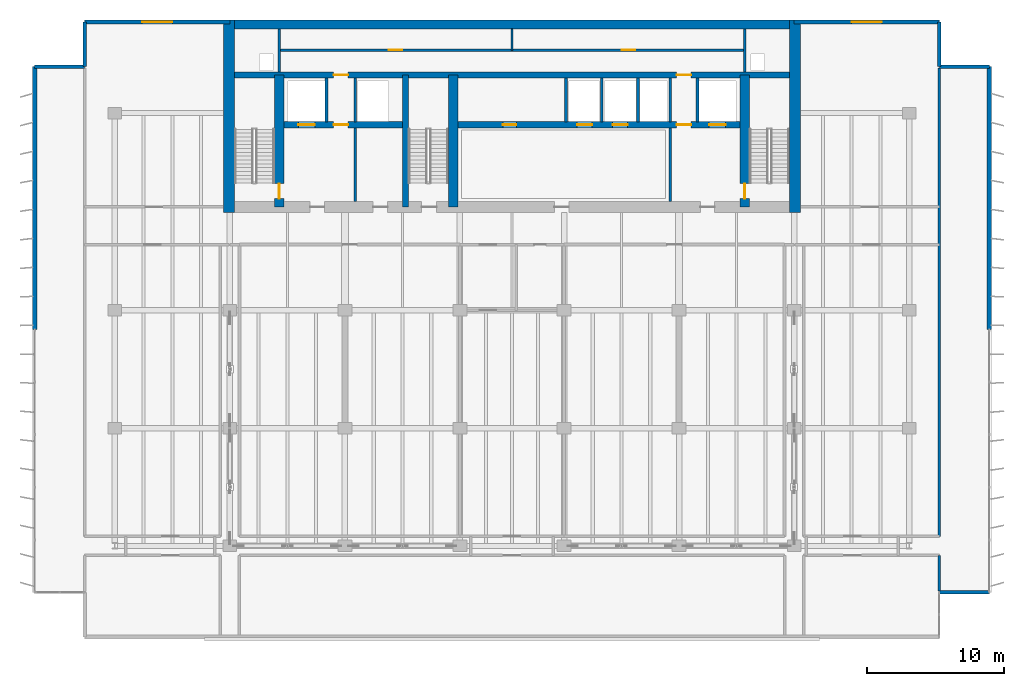
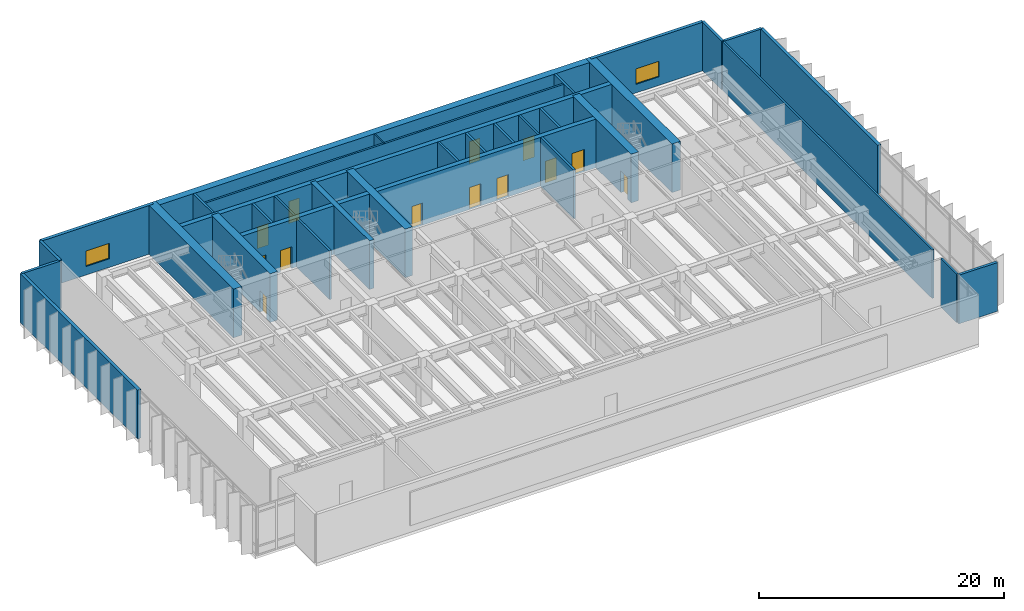
# One storey, part 14 of 18: 33 walls, 13 doors, 2 windows, 15 openings.
"""IFC4 building model written with IfcOpenShell, lengths in metres."""

from ifc_helpers import new_model, si_unit, direction, frame, frame_2d, origin, place, context, subcontext, project, spatial, rectangle, extrude, material, layer, layer_set, type_object, element, fill, save


model = new_model("IFC4")

# Units and contexts
model_context = context("Model", 3, precision=1e-05, world=origin(), true_north=direction((0.0, 1.0)))
body_context = subcontext(model_context, "Body", "Model", "MODEL_VIEW")
ifc_project = project(units=[si_unit("LENGTHUNIT", "METRE"), si_unit("AREAUNIT", "SQUARE_METRE"), si_unit("VOLUMEUNIT", "CUBIC_METRE"), si_unit("PLANEANGLEUNIT", "RADIAN"), si_unit("MASSUNIT", "GRAM", prefix="KILO")], contexts=[model_context])

# Site, building, storey
site_placement = place(None, origin())
site = spatial("IfcSite", under=ifc_project, at=site_placement, CompositionType="ELEMENT")
building_placement = place(site_placement, origin())
building = spatial("IfcBuilding", under=site, at=building_placement, Name="Caelmar Bay Residences", CompositionType="ELEMENT")
storey_placement = place(building_placement, frame((0.0, 0.0, 152.10009765625)))
storey = spatial("IfcBuildingStorey", under=building, at=storey_placement, Name="L42", CompositionType="ELEMENT", Elevation=152.10009765625)

# Wall, opening, door
ifc_material_1 = material(Name="Concrete f'c 55 MPa (8,000 psi)", Category="concrete")
ifc_layer_1 = layer(ifc_material_1, 0.699951171875)
ifc_layer_set_1 = layer_set([ifc_layer_1], Name="Concrete f'c 55 MPa (8,000 psi)")
wall_type_1 = type_object("IfcWallType", Name="SW-COR-700", PredefinedType="SHEAR", material=ifc_layer_set_1)
wall_1_placement = place(storey_placement, frame((21.89990234375, 36.949951171875, 0.0), z_axis=(0.0, 0.0, 1.0), x_axis=(0.0, 1.0, 0.0)))
wall_1 = element("IfcWall", 1, at=wall_1_placement, inside=storey, type_object=wall_type_1, Name="L42 Core Structural Web Wall ST1E", PredefinedType="SHEAR", context=body_context, shape_type="SweptSolid", body=[
    extrude(rectangle(XDim=9.625, YDim=0.699951171875, at=frame_2d((4.8125, 0.0))), origin(), (0.0, 0.0, 1.0), 4.849853515625),
])
opening_1_placement = place(wall_1_placement, frame((0.60009765625, 0.0, 0.0)))
opening_1 = element("IfcOpeningElement", 2, at=opening_1_placement, cuts=wall_1, Name="Opening D-L42-107", PredefinedType="OPENING", context=body_context, shape_type="SweptSolid", body=[
    extrude(rectangle(XDim=1.10009765625, YDim=2.14990234375, at=frame_2d((0.550048828125, 1.074951171875))), frame((0.0, 0.35986328125, 0.0), z_axis=(0.0, -1.0, 0.0), x_axis=(1.0, 0.0, 0.0)), (0.0, 0.0, 1.0), 0.719970703125),
])
ifc_material_2 = material(Name="Fire-rated steel and walnut architectural door assembly", Category="steel")
ifc_layer_2 = layer(ifc_material_2, 0.050048828125)
ifc_layer_set_2 = layer_set([ifc_layer_2], Name="Fire-rated steel and walnut architectural door assembly")
door_type_1 = type_object("IfcDoorType", Name="D-STAIR-1100", OperationType="NOTDEFINED", PredefinedType="DOOR", material=ifc_layer_set_2)
door_1_placement = place(opening_1_placement, origin())
door_1 = element("IfcDoor", 3, at=door_1_placement, inside=storey, type_object=door_type_1, Name="L42 Firefighting Lobby West Door", OperationType="SINGLE_SWING_LEFT", OverallHeight=2.14990234375, OverallWidth=1.10009765625, PredefinedType="DOOR", context=body_context, shape_type="SweptSolid", body=[
    extrude(rectangle(XDim=1.10009765625, YDim=2.14990234375, at=frame_2d((0.550048828125, 1.074951171875))), frame((0.0, 0.02490234375, 0.0), z_axis=(0.0, -1.0, 0.0), x_axis=(1.0, 0.0, 0.0)), (0.0, 0.0, 1.0), 0.050048828125),
])
fill(opening_1, door_1)

wall_2_placement = place(storey_placement, frame((55.89990234375, 36.949951171875, 0.0), z_axis=(0.0, 0.0, 1.0), x_axis=(0.0, 1.0, 0.0)))
wall_2 = element("IfcWall", 4, at=wall_2_placement, inside=storey, type_object=wall_type_1, Name="L42 Core Structural Web Wall ST2W", PredefinedType="SHEAR", context=body_context, shape_type="SweptSolid", body=[
    extrude(rectangle(XDim=9.625, YDim=0.699951171875, at=frame_2d((4.8125, 0.0))), origin(), (0.0, 0.0, 1.0), 4.849853515625),
])
opening_2_placement = place(wall_2_placement, frame((0.60009765625, 0.0, 0.0)))
opening_2 = element("IfcOpeningElement", 5, at=opening_2_placement, cuts=wall_2, Name="Opening D-L42-110", PredefinedType="OPENING", context=body_context, shape_type="SweptSolid", body=[
    extrude(rectangle(XDim=1.10009765625, YDim=2.14990234375, at=frame_2d((0.550048828125, 1.074951171875))), frame((0.0, 0.35986328125, 0.0), z_axis=(0.0, -1.0, 0.0), x_axis=(1.0, 0.0, 0.0)), (0.0, 0.0, 1.0), 0.719970703125),
])
door_2_placement = place(opening_2_placement, origin())
door_2 = element("IfcDoor", 6, at=door_2_placement, inside=storey, type_object=door_type_1, Name="L42 Firefighting Lobby East Door", OperationType="SINGLE_SWING_RIGHT", OverallHeight=2.14990234375, OverallWidth=1.10009765625, PredefinedType="DOOR", context=body_context, shape_type="SweptSolid", body=[
    extrude(rectangle(XDim=1.10009765625, YDim=2.14990234375, at=frame_2d((0.550048828125, 1.074951171875))), frame((0.0, 0.02490234375, 0.0), z_axis=(0.0, -1.0, 0.0), x_axis=(1.0, 0.0, 0.0)), (0.0, 0.0, 1.0), 0.050048828125),
])
fill(opening_2, door_2)

# Walls
wall_3_placement = place(storey_placement, frame((34.60009765625, 36.949951171875, 0.0), z_axis=(0.0, 0.0, 1.0), x_axis=(0.0, 1.0, 0.0)))
element("IfcWall", 7, at=wall_3_placement, inside=storey, type_object=wall_type_1, Name="L42 Core Structural Web Wall ST3E", PredefinedType="SHEAR", context=body_context, shape_type="SweptSolid", body=[
    extrude(rectangle(XDim=9.625, YDim=0.699951171875, at=frame_2d((4.8125, 0.0))), origin(), (0.0, 0.0, 1.0), 4.849853515625),
])
ifc_material_3 = material(Name="Concrete f'c 70 MPa (10,000 psi)", Category="concrete")
ifc_layer_3 = layer(ifc_material_3, 0.800048828125)
ifc_layer_set_3 = layer_set([ifc_layer_3], Name="Concrete f'c 70 MPa (10,000 psi)")
wall_type_2 = type_object("IfcWallType", Name="SW-COR-800", PredefinedType="SHEAR", material=ifc_layer_set_3)
for number, where, z_axis, x_axis, name in (
    (8, (18.25, 36.550048828125, 0.0), (0.0, 0.0, 1.0), (0.0, 1.0, 0.0), "L42 Rear Core West Shear Wall"),
    (9, (59.550048828125, 36.550048828125, 0.0), (0.0, 0.0, 1.0), (0.0, 1.0, 0.0), "L42 Rear Core East Shear Wall"),
):
    element("IfcWall", number, at=place(storey_placement, frame(where, z_axis=z_axis, x_axis=x_axis)), inside=storey, type_object=wall_type_2, Name=name, PredefinedType="SHEAR", context=body_context, shape_type="SweptSolid", body=[
        extrude(rectangle(XDim=14.050048828125, YDim=0.800048828125, at=frame_2d((7.02490234375, 0.0))), origin(), (0.0, 0.0, 1.0), 4.849853515625),
    ])
ifc_layer_4 = layer(ifc_material_1, 0.64990234375)
ifc_layer_set_4 = layer_set([ifc_layer_4], Name="Concrete f'c 55 MPa (8,000 psi)")
wall_type_3 = type_object("IfcWallType", Name="SW-CORN-650", PredefinedType="SHEAR", material=ifc_layer_set_4)
wall_4_placement = place(storey_placement, frame((17.85009765625, 50.27490234375, 0.0), z_axis=(0.0, 0.0, 1.0), x_axis=(1.0, 0.0, 0.0)))
element("IfcWall", 10, at=wall_4_placement, inside=storey, type_object=wall_type_3, Name="L42 Rear Core North Shear Wall", PredefinedType="SHEAR", context=body_context, shape_type="SweptSolid", body=[
    extrude(rectangle(XDim=42.099853515625, YDim=0.64990234375, at=frame_2d((21.0498046875, 0.0))), origin(), (0.0, 0.0, 1.0), 4.849853515625),
])
ifc_layer_5 = layer(ifc_material_3, 0.449951171875)
ifc_layer_set_5 = layer_set([ifc_layer_5], Name="Concrete f'c 70 MPa (10,000 psi)")
wall_type_4 = type_object("IfcWallType", Name="SW-WEB-450", PredefinedType="SHEAR", material=ifc_layer_set_5)
wall_5_placement = place(storey_placement, frame((31.125, 36.949951171875, 0.0), z_axis=(0.0, 0.0, 1.0), x_axis=(0.0, 1.0, 0.0)))
element("IfcWall", 11, at=wall_5_placement, inside=storey, type_object=wall_type_4, Name="L42 Core Structural Web Wall ST3W", PredefinedType="SHEAR", context=body_context, shape_type="SweptSolid", body=[
    extrude(rectangle(XDim=9.625, YDim=0.449951171875, at=frame_2d((4.8125, 0.0))), origin(), (0.0, 0.0, 1.0), 4.849853515625),
])

# Wall, openings, doors
wall_6_placement = place(storey_placement, frame((22.25, 42.949951171875, 0.0), z_axis=(0.0, 0.0, 1.0), x_axis=(1.0, 0.0, 0.0)))
wall_6 = element("IfcWall", 12, at=wall_6_placement, inside=storey, type_object=wall_type_4, Name="L42 Core Structural Web Wall LFR", PredefinedType="SHEAR", context=body_context, shape_type="SweptSolid", body=[
    extrude(rectangle(XDim=33.300048828125, YDim=0.449951171875, at=frame_2d((16.64990234375, 0.0))), origin(), (0.0, 0.0, 1.0), 4.849853515625),
])
opening_3_placement = place(wall_6_placement, frame((1.050048828125, 0.0, 0.0)))
opening_3 = element("IfcOpeningElement", 13, at=opening_3_placement, cuts=wall_6, Name="Opening LD2", PredefinedType="OPENING", context=body_context, shape_type="SweptSolid", body=[
    extrude(rectangle(XDim=1.199951171875, YDim=2.199951171875, at=frame_2d((0.60009765625, 1.10009765625))), frame((0.0, 0.23486328125, 0.0), z_axis=(0.0, -1.0, 0.0), x_axis=(1.0, 0.0, 0.0)), (0.0, 0.0, 1.0), 0.469970703125),
])
opening_4_placement = place(wall_6_placement, frame((31.050048828125, 0.0, 0.0)))
opening_4 = element("IfcOpeningElement", 14, at=opening_4_placement, cuts=wall_6, Name="Opening LD2", PredefinedType="OPENING", context=body_context, shape_type="SweptSolid", body=[
    extrude(rectangle(XDim=1.199951171875, YDim=2.199951171875, at=frame_2d((0.60009765625, 1.10009765625))), frame((0.0, 0.23486328125, 0.0), z_axis=(0.0, -1.0, 0.0), x_axis=(1.0, 0.0, 0.0)), (0.0, 0.0, 1.0), 0.469970703125),
])
opening_5_placement = place(wall_6_placement, frame((21.39990234375, 0.0, 0.0)))
opening_5 = element("IfcOpeningElement", 15, at=opening_5_placement, cuts=wall_6, Name="Opening LD1", PredefinedType="OPENING", context=body_context, shape_type="SweptSolid", body=[
    extrude(rectangle(XDim=1.10009765625, YDim=2.199951171875, at=frame_2d((0.550048828125, 1.10009765625))), frame((0.0, 0.23486328125, 0.0), z_axis=(0.0, -1.0, 0.0), x_axis=(1.0, 0.0, 0.0)), (0.0, 0.0, 1.0), 0.469970703125),
])
opening_6_placement = place(wall_6_placement, frame((24.0, 0.0, 0.0)))
opening_6 = element("IfcOpeningElement", 16, at=opening_6_placement, cuts=wall_6, Name="Opening LD1", PredefinedType="OPENING", context=body_context, shape_type="SweptSolid", body=[
    extrude(rectangle(XDim=1.10009765625, YDim=2.199951171875, at=frame_2d((0.550048828125, 1.10009765625))), frame((0.0, 0.23486328125, 0.0), z_axis=(0.0, -1.0, 0.0), x_axis=(1.0, 0.0, 0.0)), (0.0, 0.0, 1.0), 0.469970703125),
])
opening_7_placement = place(wall_6_placement, frame((3.625, 0.0, 0.0)))
opening_7 = element("IfcOpeningElement", 17, at=opening_7_placement, cuts=wall_6, Name="Opening D-L42-108", PredefinedType="OPENING", context=body_context, shape_type="SweptSolid", body=[
    extrude(rectangle(XDim=1.050048828125, YDim=2.14990234375, at=frame_2d((0.52490234375, 1.074951171875))), frame((0.0, 0.23486328125, 0.0), z_axis=(0.0, -1.0, 0.0), x_axis=(1.0, 0.0, 0.0)), (0.0, 0.0, 1.0), 0.469970703125),
])
opening_8_placement = place(wall_6_placement, frame((28.675048828125, 0.0, 0.0)))
opening_8 = element("IfcOpeningElement", 18, at=opening_8_placement, cuts=wall_6, Name="Opening D-L42-111", PredefinedType="OPENING", context=body_context, shape_type="SweptSolid", body=[
    extrude(rectangle(XDim=1.050048828125, YDim=2.14990234375, at=frame_2d((0.52490234375, 1.074951171875))), frame((0.0, 0.23486328125, 0.0), z_axis=(0.0, -1.0, 0.0), x_axis=(1.0, 0.0, 0.0)), (0.0, 0.0, 1.0), 0.469970703125),
])
opening_9_placement = place(wall_6_placement, frame((15.97509765625, 0.0, 0.0)))
opening_9 = element("IfcOpeningElement", 19, at=opening_9_placement, cuts=wall_6, Name="Opening D-L42-114", PredefinedType="OPENING", context=body_context, shape_type="SweptSolid", body=[
    extrude(rectangle(XDim=1.0, YDim=2.199951171875, at=frame_2d((0.5, 1.10009765625))), frame((0.0, 0.23486328125, 0.0), z_axis=(0.0, -1.0, 0.0), x_axis=(1.0, 0.0, 0.0)), (0.0, 0.0, 1.0), 0.469970703125),
])
ifc_layer_6 = layer(ifc_material_2, 0.050048828125)
ifc_layer_set_6 = layer_set([ifc_layer_6], Name="Fire-rated steel and walnut architectural door assembly")
door_type_2 = type_object("IfcDoorType", Name="D-FSAE-1050", OperationType="NOTDEFINED", PredefinedType="DOOR", material=ifc_layer_set_6)
door_3_placement = place(opening_7_placement, origin())
door_3 = element("IfcDoor", 20, at=door_3_placement, inside=storey, type_object=door_type_2, Name="L42 Firefighting Lobby West Door", OperationType="SINGLE_SWING_RIGHT", OverallHeight=2.14990234375, OverallWidth=1.050048828125, PredefinedType="DOOR", context=body_context, shape_type="SweptSolid", body=[
    extrude(rectangle(XDim=1.050048828125, YDim=2.14990234375, at=frame_2d((0.52490234375, 1.074951171875))), frame((0.0, 0.02490234375, 0.0), z_axis=(0.0, -1.0, 0.0), x_axis=(1.0, 0.0, 0.0)), (0.0, 0.0, 1.0), 0.050048828125),
])
fill(opening_7, door_3)
door_4_placement = place(opening_8_placement, origin())
door_4 = element("IfcDoor", 21, at=door_4_placement, inside=storey, type_object=door_type_2, Name="L42 Firefighting Lobby East Door", OperationType="SINGLE_SWING_LEFT", OverallHeight=2.14990234375, OverallWidth=1.050048828125, PredefinedType="DOOR", context=body_context, shape_type="SweptSolid", body=[
    extrude(rectangle(XDim=1.050048828125, YDim=2.14990234375, at=frame_2d((0.52490234375, 1.074951171875))), frame((0.0, 0.02490234375, 0.0), z_axis=(0.0, -1.0, 0.0), x_axis=(1.0, 0.0, 0.0)), (0.0, 0.0, 1.0), 0.050048828125),
])
fill(opening_8, door_4)
ifc_material_4 = material(Name="Brushed bronze stainless-steel fire-rated lift landing doors", Category="steel")
ifc_layer_7 = layer(ifc_material_4, 0.050048828125)
ifc_layer_set_7 = layer_set([ifc_layer_7], Name="Brushed bronze stainless-steel fire-rated lift landing doors")
door_type_3 = type_object("IfcDoorType", Name="D-LND-1100", OperationType="DOUBLE_DOOR_SLIDING", PredefinedType="DOOR", material=ifc_layer_set_7)
door_5_placement = place(opening_5_placement, origin())
door_5 = element("IfcDoor", 22, at=door_5_placement, inside=storey, type_object=door_type_3, Name="L42 LP4 Sliding Landing Door", OperationType="DOUBLE_DOOR_SLIDING", OverallHeight=2.199951171875, OverallWidth=1.10009765625, PredefinedType="DOOR", context=body_context, shape_type="SweptSolid", body=[
    extrude(rectangle(XDim=1.10009765625, YDim=2.199951171875, at=frame_2d((0.550048828125, 1.10009765625))), frame((0.0, 0.02490234375, 0.0), z_axis=(0.0, -1.0, 0.0), x_axis=(1.0, 0.0, 0.0)), (0.0, 0.0, 1.0), 0.050048828125),
])
fill(opening_5, door_5)
door_6_placement = place(opening_6_placement, origin())
door_6 = element("IfcDoor", 23, at=door_6_placement, inside=storey, type_object=door_type_3, Name="L42 LP5 Sliding Landing Door", OperationType="DOUBLE_DOOR_SLIDING", OverallHeight=2.199951171875, OverallWidth=1.10009765625, PredefinedType="DOOR", context=body_context, shape_type="SweptSolid", body=[
    extrude(rectangle(XDim=1.10009765625, YDim=2.199951171875, at=frame_2d((0.550048828125, 1.10009765625))), frame((0.0, 0.02490234375, 0.0), z_axis=(0.0, -1.0, 0.0), x_axis=(1.0, 0.0, 0.0)), (0.0, 0.0, 1.0), 0.050048828125),
])
fill(opening_6, door_6)
ifc_material_5 = material(Name="Brushed stainless-steel FSAE sliding landing door", Category="steel")
ifc_layer_8 = layer(ifc_material_5, 0.050048828125)
ifc_layer_set_8 = layer_set([ifc_layer_8], Name="Brushed stainless-steel FSAE sliding landing door")
door_type_4 = type_object("IfcDoorType", Name="D-LND-1200", OperationType="DOUBLE_DOOR_SLIDING", PredefinedType="DOOR", material=ifc_layer_set_8)
door_7_placement = place(opening_3_placement, origin())
door_7 = element("IfcDoor", 24, at=door_7_placement, inside=storey, type_object=door_type_4, Name="L42 LF1 Sliding Landing Door", OperationType="DOUBLE_DOOR_SLIDING", OverallHeight=2.199951171875, OverallWidth=1.199951171875, PredefinedType="DOOR", context=body_context, shape_type="SweptSolid", body=[
    extrude(rectangle(XDim=1.199951171875, YDim=2.199951171875, at=frame_2d((0.60009765625, 1.10009765625))), frame((0.0, 0.02490234375, 0.0), z_axis=(0.0, -1.0, 0.0), x_axis=(1.0, 0.0, 0.0)), (0.0, 0.0, 1.0), 0.050048828125),
])
fill(opening_3, door_7)
door_8_placement = place(opening_4_placement, origin())
door_8 = element("IfcDoor", 25, at=door_8_placement, inside=storey, type_object=door_type_4, Name="L42 LF2 Sliding Landing Door", OperationType="DOUBLE_DOOR_SLIDING", OverallHeight=2.199951171875, OverallWidth=1.199951171875, PredefinedType="DOOR", context=body_context, shape_type="SweptSolid", body=[
    extrude(rectangle(XDim=1.199951171875, YDim=2.199951171875, at=frame_2d((0.60009765625, 1.10009765625))), frame((0.0, 0.02490234375, 0.0), z_axis=(0.0, -1.0, 0.0), x_axis=(1.0, 0.0, 0.0)), (0.0, 0.0, 1.0), 0.050048828125),
])
fill(opening_4, door_8)
ifc_layer_9 = layer(ifc_material_2, 0.050048828125)
ifc_layer_set_9 = layer_set([ifc_layer_9], Name="Fire-rated steel and walnut architectural door assembly")
door_type_5 = type_object("IfcDoorType", Name="D-UNIT-1000", OperationType="NOTDEFINED", PredefinedType="DOOR", material=ifc_layer_set_9)
door_9_placement = place(opening_9_placement, origin())
door_9 = element("IfcDoor", 26, at=door_9_placement, inside=storey, type_object=door_type_5, Name="L42 Quiet Reading Study Door", OperationType="SINGLE_SWING_RIGHT", OverallHeight=2.199951171875, OverallWidth=1.0, PredefinedType="DOOR", context=body_context, shape_type="SweptSolid", body=[
    extrude(rectangle(XDim=1.0, YDim=2.199951171875, at=frame_2d((0.5, 1.10009765625))), frame((0.0, 0.02490234375, 0.0), z_axis=(0.0, -1.0, 0.0), x_axis=(1.0, 0.0, 0.0)), (0.0, 0.0, 1.0), 0.050048828125),
])
fill(opening_9, door_9)

wall_7_placement = place(storey_placement, frame((18.25, 46.574951171875, 0.0), z_axis=(0.0, 0.0, 1.0), x_axis=(1.0, 0.0, 0.0)))
wall_7 = element("IfcWall", 27, at=wall_7_placement, inside=storey, type_object=wall_type_4, Name="L42 Core Structural Web Wall SRVS", PredefinedType="SHEAR", context=body_context, shape_type="SweptSolid", body=[
    extrude(rectangle(XDim=41.300048828125, YDim=0.449951171875, at=frame_2d((20.64990234375, 0.0))), origin(), (0.0, 0.0, 1.0), 4.849853515625),
])
opening_10_placement = place(wall_7_placement, frame((7.625, 0.0, 0.0)))
opening_10 = element("IfcOpeningElement", 28, at=opening_10_placement, cuts=wall_7, Name="Opening D-L42-115", PredefinedType="OPENING", context=body_context, shape_type="SweptSolid", body=[
    extrude(rectangle(XDim=1.050048828125, YDim=2.14990234375, at=frame_2d((0.52490234375, 1.074951171875))), frame((0.0, 0.23486328125, 0.0), z_axis=(0.0, -1.0, 0.0), x_axis=(1.0, 0.0, 0.0)), (0.0, 0.0, 1.0), 0.469970703125),
])
opening_11_placement = place(wall_7_placement, frame((32.675048828125, 0.0, 0.0)))
opening_11 = element("IfcOpeningElement", 29, at=opening_11_placement, cuts=wall_7, Name="Opening D-L42-116", PredefinedType="OPENING", context=body_context, shape_type="SweptSolid", body=[
    extrude(rectangle(XDim=1.050048828125, YDim=2.14990234375, at=frame_2d((0.52490234375, 1.074951171875))), frame((0.0, 0.23486328125, 0.0), z_axis=(0.0, -1.0, 0.0), x_axis=(1.0, 0.0, 0.0)), (0.0, 0.0, 1.0), 0.469970703125),
])
door_10_placement = place(opening_10_placement, origin())
door_10 = element("IfcDoor", 30, at=door_10_placement, inside=storey, type_object=door_type_2, Name="L42 Core Service Corridor Door", OperationType="SINGLE_SWING_LEFT", OverallHeight=2.14990234375, OverallWidth=1.050048828125, PredefinedType="DOOR", context=body_context, shape_type="SweptSolid", body=[
    extrude(rectangle(XDim=1.050048828125, YDim=2.14990234375, at=frame_2d((0.52490234375, 1.074951171875))), frame((0.0, 0.02490234375, 0.0), z_axis=(0.0, -1.0, 0.0), x_axis=(1.0, 0.0, 0.0)), (0.0, 0.0, 1.0), 0.050048828125),
])
fill(opening_10, door_10)
door_11_placement = place(opening_11_placement, origin())
door_11 = element("IfcDoor", 31, at=door_11_placement, inside=storey, type_object=door_type_2, Name="L42 Core Service Corridor Door", OperationType="SINGLE_SWING_RIGHT", OverallHeight=2.14990234375, OverallWidth=1.050048828125, PredefinedType="DOOR", context=body_context, shape_type="SweptSolid", body=[
    extrude(rectangle(XDim=1.050048828125, YDim=2.14990234375, at=frame_2d((0.52490234375, 1.074951171875))), frame((0.0, 0.02490234375, 0.0), z_axis=(0.0, -1.0, 0.0), x_axis=(1.0, 0.0, 0.0)), (0.0, 0.0, 1.0), 0.050048828125),
])
fill(opening_11, door_11)

# Walls
ifc_material_6 = material(Name="Double-stud acoustic fire-rated gypsum partition 180 mm")
ifc_layer_10 = layer(ifc_material_6, 0.179931640625)
ifc_layer_set_10 = layer_set([ifc_layer_10], Name="Double-stud acoustic fire-rated gypsum partition 180 mm")
wall_type_5 = type_object("IfcWallType", Name="W-COR-200", PredefinedType="PARTITIONING", material=ifc_layer_set_10)
wall_8_placement = place(storey_placement, frame((70.10009765625, 8.919921875, 0.0), z_axis=(0.0, 0.0, 1.0), x_axis=(0.0, 1.0, 0.0)))
element("IfcWall", 32, at=wall_8_placement, inside=storey, type_object=wall_type_5, Name="L42 Partition Wall V032", PredefinedType="PARTITIONING", context=body_context, shape_type="SweptSolid", body=[
    extrude(rectangle(XDim=2.580078125, YDim=0.179931640625, at=frame_2d((1.2900390625, 0.0))), origin(), (0.0, 0.0, 1.0), 4.849853515625),
])
wall_9_placement = place(storey_placement, frame((70.10009765625, 12.89990234375, 0.0), z_axis=(0.0, 0.0, 1.0), x_axis=(0.0, 1.0, 0.0)))
element("IfcWall", 33, at=wall_9_placement, inside=storey, type_object=wall_type_5, Name="L42 Partition Wall V033", PredefinedType="PARTITIONING", context=body_context, shape_type="SweptSolid", body=[
    extrude(rectangle(XDim=34.18017578125, YDim=0.179931640625, at=frame_2d((17.090087890625, 0.0))), origin(), (0.0, 0.0, 1.0), 4.849853515625),
])

# Wall, openings, doors
wall_10_placement = place(storey_placement, frame((21.89990234375, 48.39990234375, 0.0), z_axis=(0.0, 0.0, 1.0), x_axis=(1.0, 0.0, 0.0)))
wall_10 = element("IfcWall", 34, at=wall_10_placement, inside=storey, type_object=wall_type_5, Name="L42 Partition Wall H052", PredefinedType="PARTITIONING", context=body_context, shape_type="SweptSolid", body=[
    extrude(rectangle(XDim=34.0, YDim=0.179931640625, at=frame_2d((17.0, 0.0))), origin(), (0.0, 0.0, 1.0), 4.849853515625),
])
opening_12_placement = place(wall_10_placement, frame((8.0, 0.0, 0.0)))
opening_12 = element("IfcOpeningElement", 35, at=opening_12_placement, cuts=wall_10, Name="Opening D-L42-117", PredefinedType="OPENING", context=body_context, shape_type="SweptSolid", body=[
    extrude(rectangle(XDim=1.0, YDim=2.199951171875, at=frame_2d((0.5, 1.10009765625))), frame((0.0, 0.099853515625, 0.0), z_axis=(0.0, -1.0, 0.0), x_axis=(1.0, 0.0, 0.0)), (0.0, 0.0, 1.0), 0.199951171875),
])
opening_13_placement = place(wall_10_placement, frame((25.0, 0.0, 0.0)))
opening_13 = element("IfcOpeningElement", 36, at=opening_13_placement, cuts=wall_10, Name="Opening D-L42-118", PredefinedType="OPENING", context=body_context, shape_type="SweptSolid", body=[
    extrude(rectangle(XDim=1.0, YDim=2.199951171875, at=frame_2d((0.5, 1.10009765625))), frame((0.0, 0.099853515625, 0.0), z_axis=(0.0, -1.0, 0.0), x_axis=(1.0, 0.0, 0.0)), (0.0, 0.0, 1.0), 0.199951171875),
])
door_12_placement = place(opening_12_placement, origin())
door_12 = element("IfcDoor", 37, at=door_12_placement, inside=storey, type_object=door_type_5, Name="L42 Building Management Office Door", OperationType="SINGLE_SWING_LEFT", OverallHeight=2.199951171875, OverallWidth=1.0, PredefinedType="DOOR", context=body_context, shape_type="SweptSolid", body=[
    extrude(rectangle(XDim=1.0, YDim=2.199951171875, at=frame_2d((0.5, 1.10009765625))), frame((0.0, 0.02490234375, 0.0), z_axis=(0.0, -1.0, 0.0), x_axis=(1.0, 0.0, 0.0)), (0.0, 0.0, 1.0), 0.050048828125),
])
fill(opening_12, door_12)
door_13_placement = place(opening_13_placement, origin())
door_13 = element("IfcDoor", 38, at=door_13_placement, inside=storey, type_object=door_type_5, Name="L42 Concierge Operations Office Door", OperationType="SINGLE_SWING_RIGHT", OverallHeight=2.199951171875, OverallWidth=1.0, PredefinedType="DOOR", context=body_context, shape_type="SweptSolid", body=[
    extrude(rectangle(XDim=1.0, YDim=2.199951171875, at=frame_2d((0.5, 1.10009765625))), frame((0.0, 0.02490234375, 0.0), z_axis=(0.0, -1.0, 0.0), x_axis=(1.0, 0.0, 0.0)), (0.0, 0.0, 1.0), 0.050048828125),
])
fill(opening_13, door_13)

# Walls
ifc_material_7 = material(Name="Precast concrete f'c 40 MPa (6,000 psi)", Category="concrete")
ifc_layer_11 = layer(ifc_material_7, 0.25)
ifc_layer_set_11 = layer_set([ifc_layer_11], Name="Precast concrete f'c 40 MPa (6,000 psi)")
wall_type_6 = type_object("IfcWallType", Name="W-EXT-250", PredefinedType="ELEMENTEDWALL", material=ifc_layer_set_11)
for number, where, z_axis, x_axis, name in (
    (39, (70.10009765625, 8.800048828125, 0.0), (0.0, 0.0, 1.0), (1.0, 0.0, 0.0), "L42 SE Notch Return Wall"),
    (40, (4.050048828125, 47.199951171875, 0.0), (0.0, 0.0, 1.0), (1.0, 0.0, 0.0), "L42 NNW-H Notch Wall"),
):
    element("IfcWall", number, at=place(storey_placement, frame(where, z_axis=z_axis, x_axis=x_axis)), inside=storey, type_object=wall_type_6, Name=name, PredefinedType="ELEMENTEDWALL", context=body_context, shape_type="SweptSolid", body=[
        extrude(rectangle(XDim=3.64990234375, YDim=0.25, at=frame_2d((1.824951171875, 0.0))), origin(), (0.0, 0.0, 1.0), 4.849853515625),
    ])
for number, where, z_axis, x_axis, name in (
    (41, (7.699951171875, 47.199951171875, 0.0), (0.0, 0.0, 1.0), (0.0, 1.0, 0.0), "L42 NNW-V Notch Wall"),
    (42, (70.10009765625, 50.449951171875, 0.0), (0.0, 0.0, 1.0), (0.0, -1.0, 0.0), "L42 NNE-V Notch Wall"),
):
    element("IfcWall", number, at=place(storey_placement, frame(where, z_axis=z_axis, x_axis=x_axis)), inside=storey, type_object=wall_type_6, Name=name, PredefinedType="ELEMENTEDWALL", context=body_context, shape_type="SweptSolid", body=[
        extrude(rectangle(XDim=3.25, YDim=0.25, at=frame_2d((1.625, 0.0))), origin(), (0.0, 0.0, 1.0), 4.849853515625),
    ])
wall_11_placement = place(storey_placement, frame((70.10009765625, 47.199951171875, 0.0), z_axis=(0.0, 0.0, 1.0), x_axis=(1.0, 0.0, 0.0)))
element("IfcWall", 43, at=wall_11_placement, inside=storey, type_object=wall_type_6, Name="L42 NNE-H Notch Wall", PredefinedType="ELEMENTEDWALL", context=body_context, shape_type="SweptSolid", body=[
    extrude(rectangle(XDim=3.64990234375, YDim=0.25, at=frame_2d((1.824951171875, 0.0))), origin(), (0.0, 0.0, 1.0), 4.849853515625),
])
ifc_layer_12 = layer(ifc_material_7, 0.300048828125)
ifc_layer_set_12 = layer_set([ifc_layer_12], Name="Precast concrete f'c 40 MPa (6,000 psi)")
wall_type_7 = type_object("IfcWallType", Name="W-EXT-300", PredefinedType="STANDARD", material=ifc_layer_set_12)
for number, where, z_axis, x_axis, name in (
    (44, (4.050048828125, 28.0, 0.0), (0.0, 0.0, 1.0), (0.0, 1.0, 0.0), "L42 West Rear Exterior Wall"),
    (45, (73.75, 47.199951171875, 0.0), (0.0, 0.0, 1.0), (0.0, -1.0, 0.0), "L42 East Rear Exterior Wall"),
):
    element("IfcWall", number, at=place(storey_placement, frame(where, z_axis=z_axis, x_axis=x_axis)), inside=storey, type_object=wall_type_7, Name=name, PredefinedType="STANDARD", context=body_context, shape_type="SweptSolid", body=[
        extrude(rectangle(XDim=19.199951171875, YDim=0.300048828125, at=frame_2d((9.60009765625, 0.0))), origin(), (0.0, 0.0, 1.0), 4.849853515625),
    ])

# Wall, opening, window
wall_12_placement = place(storey_placement, frame((7.699951171875, 50.449951171875, 0.0), z_axis=(0.0, 0.0, 1.0), x_axis=(1.0, 0.0, 0.0)))
wall_12 = element("IfcWall", 46, at=wall_12_placement, inside=storey, type_object=wall_type_7, Name="L42 North-West Wing Exterior Wall", PredefinedType="STANDARD", context=body_context, shape_type="SweptSolid", body=[
    extrude(rectangle(XDim=10.60009765625, YDim=0.300048828125, at=frame_2d((5.300048828125, 0.0))), origin(), (0.0, 0.0, 1.0), 4.849853515625),
])
opening_14_placement = place(wall_12_placement, frame((4.199951171875, 0.0, 0.85009765625)))
opening_14 = element("IfcOpeningElement", 47, at=opening_14_placement, cuts=wall_12, Name="Opening WN2", PredefinedType="OPENING", context=body_context, shape_type="SweptSolid", body=[
    extrude(rectangle(XDim=2.199951171875, YDim=1.550048828125, at=frame_2d((1.10009765625, 0.77490234375))), frame((0.0, 0.159912109375, 0.0), z_axis=(0.0, -1.0, 0.0), x_axis=(1.0, 0.0, 0.0)), (0.0, 0.0, 1.0), 0.320068359375),
])
ifc_material_8 = material(Name="Bronze aluminium frame with laminated low-E glass", Category="aluminium")
ifc_layer_13 = layer(ifc_material_8, 0.06005859375)
ifc_layer_set_13 = layer_set([ifc_layer_13], Name="Bronze aluminium frame with laminated low-E glass")
window_type = type_object("IfcWindowType", Name="WIN-BR-2200", PartitioningType="SINGLE_PANEL", PredefinedType="WINDOW", material=ifc_layer_set_13)
window_1_placement = place(opening_14_placement, origin())
window_1 = element("IfcWindow", 48, at=window_1_placement, inside=storey, type_object=window_type, Name="L42 North-West Studio Window", OverallHeight=1.550048828125, OverallWidth=2.199951171875, PartitioningType="SINGLE_PANEL", PredefinedType="WINDOW", context=body_context, shape_type="SweptSolid", body=[
    extrude(rectangle(XDim=2.199951171875, YDim=1.550048828125, at=frame_2d((1.10009765625, 0.77490234375))), frame((0.0, 0.030029296875, 0.0), z_axis=(0.0, -1.0, 0.0), x_axis=(1.0, 0.0, 0.0)), (0.0, 0.0, 1.0), 0.06005859375),
])
fill(opening_14, window_1)

wall_13_placement = place(storey_placement, frame((59.5, 50.449951171875, 0.0), z_axis=(0.0, 0.0, 1.0), x_axis=(1.0, 0.0, 0.0)))
wall_13 = element("IfcWall", 49, at=wall_13_placement, inside=storey, type_object=wall_type_7, Name="L42 North-East Wing Exterior Wall", PredefinedType="STANDARD", context=body_context, shape_type="SweptSolid", body=[
    extrude(rectangle(XDim=10.60009765625, YDim=0.300048828125, at=frame_2d((5.300048828125, 0.0))), origin(), (0.0, 0.0, 1.0), 4.849853515625),
])
opening_15_placement = place(wall_13_placement, frame((4.199951171875, 0.0, 0.85009765625)))
opening_15 = element("IfcOpeningElement", 50, at=opening_15_placement, cuts=wall_13, Name="Opening WN2", PredefinedType="OPENING", context=body_context, shape_type="SweptSolid", body=[
    extrude(rectangle(XDim=2.199951171875, YDim=1.550048828125, at=frame_2d((1.10009765625, 0.77490234375))), frame((0.0, 0.159912109375, 0.0), z_axis=(0.0, -1.0, 0.0), x_axis=(1.0, 0.0, 0.0)), (0.0, 0.0, 1.0), 0.320068359375),
])
window_2_placement = place(opening_15_placement, origin())
window_2 = element("IfcWindow", 51, at=window_2_placement, inside=storey, type_object=window_type, Name="L42 North-East Studio Window", OverallHeight=1.550048828125, OverallWidth=2.199951171875, PartitioningType="SINGLE_PANEL", PredefinedType="WINDOW", context=body_context, shape_type="SweptSolid", body=[
    extrude(rectangle(XDim=2.199951171875, YDim=1.550048828125, at=frame_2d((1.10009765625, 0.77490234375))), frame((0.0, 0.030029296875, 0.0), z_axis=(0.0, -1.0, 0.0), x_axis=(1.0, 0.0, 0.0)), (0.0, 0.0, 1.0), 0.06005859375),
])
fill(opening_15, window_2)

# Walls
ifc_material_9 = material(Name="Fire-rated masonry and gypsum shaftliner assembly 200 mm", Category="masonry")
ifc_layer_14 = layer(ifc_material_9, 0.199951171875)
ifc_layer_set_14 = layer_set([ifc_layer_14], Name="Fire-rated masonry and gypsum shaftliner assembly 200 mm")
wall_type_8 = type_object("IfcWallType", Name="W-FSAE-200", PredefinedType="PARTITIONING", material=ifc_layer_set_14)
wall_14_placement = place(storey_placement, frame((21.89990234375, 46.794921875, 0.0), z_axis=(0.0, 0.0, 1.0), x_axis=(0.0, 1.0, 0.0)))
element("IfcWall", 52, at=wall_14_placement, inside=storey, type_object=wall_type_8, Name="L42 Partition Wall V009", PredefinedType="PARTITIONING", context=body_context, shape_type="SweptSolid", body=[
    extrude(rectangle(XDim=3.16015625, YDim=0.199951171875, at=frame_2d((1.580078125, 0.0))), origin(), (0.0, 0.0, 1.0), 4.849853515625),
])
wall_15_placement = place(storey_placement, frame((25.35009765625, 43.169921875, 0.0), z_axis=(0.0, 0.0, 1.0), x_axis=(0.0, 1.0, 0.0)))
element("IfcWall", 53, at=wall_15_placement, inside=storey, type_object=wall_type_8, Name="L42 Partition Wall V010", PredefinedType="PARTITIONING", context=body_context, shape_type="SweptSolid", body=[
    extrude(rectangle(XDim=3.18505859375, YDim=0.199951171875, at=frame_2d((1.592529296875, 0.0))), origin(), (0.0, 0.0, 1.0), 4.849853515625),
])
wall_16_placement = place(storey_placement, frame((27.449951171875, 37.344970703125, 0.0), z_axis=(0.0, 0.0, 1.0), x_axis=(0.0, 1.0, 0.0)))
element("IfcWall", 54, at=wall_16_placement, inside=storey, type_object=wall_type_8, Name="L42 Partition Wall V011", PredefinedType="PARTITIONING", context=body_context, shape_type="SweptSolid", body=[
    extrude(rectangle(XDim=5.385009765625, YDim=0.199951171875, at=frame_2d((2.6923828125, 0.0))), origin(), (0.0, 0.0, 1.0), 4.849853515625),
])
for number, where, z_axis, x_axis, name in (
    (55, (27.449951171875, 43.169921875, 0.0), (0.0, 0.0, 1.0), (0.0, 1.0, 0.0), "L42 Partition Wall V012"),
    (56, (42.85009765625, 43.169921875, 0.0), (0.0, 0.0, 1.0), (0.0, 1.0, 0.0), "L42 Partition Wall V019"),
    (57, (45.449951171875, 43.169921875, 0.0), (0.0, 0.0, 1.0), (0.0, 1.0, 0.0), "L42 Partition Wall V020"),
    (58, (48.10009765625, 43.169921875, 0.0), (0.0, 0.0, 1.0), (0.0, 1.0, 0.0), "L42 Partition Wall V021"),
):
    element("IfcWall", number, at=place(storey_placement, frame(where, z_axis=z_axis, x_axis=x_axis)), inside=storey, type_object=wall_type_8, Name=name, PredefinedType="PARTITIONING", context=body_context, shape_type="SweptSolid", body=[
        extrude(rectangle(XDim=3.18505859375, YDim=0.199951171875, at=frame_2d((1.592529296875, 0.0))), origin(), (0.0, 0.0, 1.0), 4.849853515625),
    ])
wall_17_placement = place(storey_placement, frame((50.449951171875, 37.344970703125, 0.0), z_axis=(0.0, 0.0, 1.0), x_axis=(0.0, 1.0, 0.0)))
element("IfcWall", 59, at=wall_17_placement, inside=storey, type_object=wall_type_8, Name="L42 Partition Wall V022", PredefinedType="PARTITIONING", context=body_context, shape_type="SweptSolid", body=[
    extrude(rectangle(XDim=5.385009765625, YDim=0.199951171875, at=frame_2d((2.6923828125, 0.0))), origin(), (0.0, 0.0, 1.0), 4.849853515625),
])
for number, where, z_axis, x_axis, name in (
    (60, (50.449951171875, 43.169921875, 0.0), (0.0, 0.0, 1.0), (0.0, 1.0, 0.0), "L42 Partition Wall V023"),
    (61, (52.449951171875, 43.169921875, 0.0), (0.0, 0.0, 1.0), (0.0, 1.0, 0.0), "L42 Partition Wall V024"),
):
    element("IfcWall", number, at=place(storey_placement, frame(where, z_axis=z_axis, x_axis=x_axis)), inside=storey, type_object=wall_type_8, Name=name, PredefinedType="PARTITIONING", context=body_context, shape_type="SweptSolid", body=[
        extrude(rectangle(XDim=3.18505859375, YDim=0.199951171875, at=frame_2d((1.592529296875, 0.0))), origin(), (0.0, 0.0, 1.0), 4.849853515625),
    ])
wall_18_placement = place(storey_placement, frame((55.89990234375, 46.794921875, 0.0), z_axis=(0.0, 0.0, 1.0), x_axis=(0.0, 1.0, 0.0)))
element("IfcWall", 62, at=wall_18_placement, inside=storey, type_object=wall_type_8, Name="L42 Partition Wall V025", PredefinedType="PARTITIONING", context=body_context, shape_type="SweptSolid", body=[
    extrude(rectangle(XDim=3.16015625, YDim=0.199951171875, at=frame_2d((1.580078125, 0.0))), origin(), (0.0, 0.0, 1.0), 4.849853515625),
])
ifc_material_10 = material(Name="Acoustic metal-stud gypsum partition 120 mm")
ifc_layer_15 = layer(ifc_material_10, 0.1201171875)
ifc_layer_set_15 = layer_set([ifc_layer_15], Name="Acoustic metal-stud gypsum partition 120 mm")
wall_type_9 = type_object("IfcWallType", Name="W-PRT-120", PredefinedType="PARTITIONING", material=ifc_layer_set_15)
wall_19_placement = place(storey_placement, frame((38.89990234375, 48.39990234375, 0.0), z_axis=(0.0, 0.0, 1.0), x_axis=(0.0, 1.0, 0.0)))
element("IfcWall", 63, at=wall_19_placement, inside=storey, type_object=wall_type_9, Name="L42 Partition Wall V015", PredefinedType="PARTITIONING", context=body_context, shape_type="SweptSolid", body=[
    extrude(rectangle(XDim=1.55517578125, YDim=0.1201171875, at=frame_2d((0.777587890625, 0.0))), origin(), (0.0, 0.0, 1.0), 4.849853515625),
])

save(model, "model.ifc")
